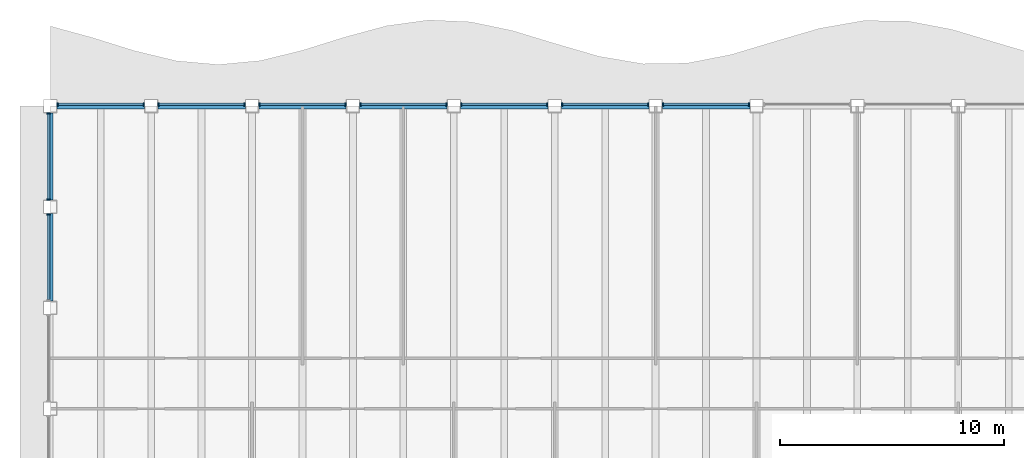
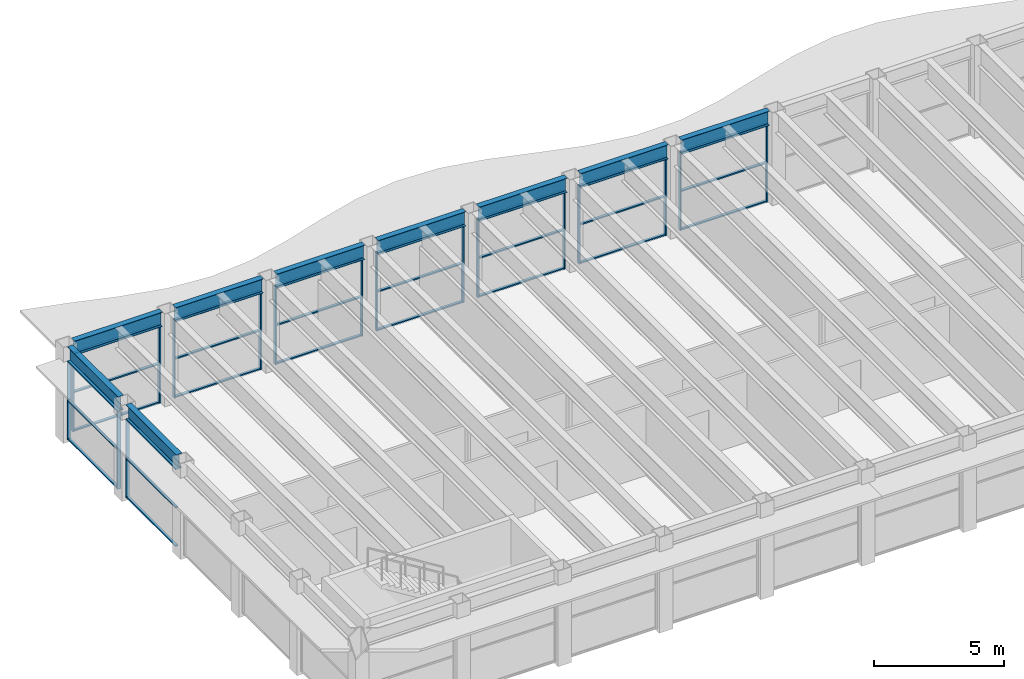
# One storey, part 4 of 14: 44 members, 9 beams, 9 elements without a shape of their own.
"""IFC4 building model written with IfcOpenShell, lengths in metres."""

from ifc_helpers import new_model, si_unit, direction, frame, origin, origin_2d, place, context, subcontext, project, spatial, rectangle, i_section, extrude, material, material_profile, profile_set, type_object, element, aggregate, save


model = new_model("IFC4")

# Units and contexts
model_context = context("Model", 3, precision=1e-05, world=origin(), true_north=direction((0.0, 1.0)))
body_context = subcontext(model_context, "Body", "Model", "MODEL_VIEW")
ifc_project = project(units=[si_unit("LENGTHUNIT", "METRE"), si_unit("AREAUNIT", "SQUARE_METRE"), si_unit("VOLUMEUNIT", "CUBIC_METRE"), si_unit("PLANEANGLEUNIT", "RADIAN"), si_unit("MASSUNIT", "GRAM", prefix="KILO")], contexts=[model_context])

# Site, building, storey
site_placement = place(None, origin())
site = spatial("IfcSite", under=ifc_project, at=site_placement, CompositionType="ELEMENT")
building_placement = place(site_placement, origin())
building = spatial("IfcBuilding", under=site, at=building_placement, Name="Sennacour Bend Tower", CompositionType="ELEMENT")
storey_placement = place(building_placement, frame((0.0, 0.0, 314.0)))
storey = spatial("IfcBuildingStorey", under=building, at=storey_placement, Name="L72", CompositionType="ELEMENT", Elevation=314.0)

# Curtain wall, members
ifc_material_1 = material(Name="Bronze anodised aluminium curtain wall with clear glass", Category="aluminium")
curtain_wall_type = type_object("IfcCurtainWallType", Name="CURTAIN WALL EXEC", PredefinedType="NOTDEFINED", material=ifc_material_1)
curtain_wall_1_placement = place(storey_placement, origin())
curtain_wall_1 = element("IfcCurtainWall", 1, at=curtain_wall_1_placement, inside=storey, type_object=curtain_wall_type, Name="Executive floor glass wall L72", PredefinedType="NOTDEFINED")
ifc_material_2 = material(Name="Aluminium 6063-T6", Category="aluminium")
ifc_material_profile_1 = material_profile(ifc_material_2, rectangle(XDim=0.14990234375, YDim=0.06005859375, at=origin_2d()), Name="Aluminium 6063-T6", Category="aluminium")
ifc_profile_set_1 = profile_set([ifc_material_profile_1], Name="Aluminium 6063-T6")
member_type_1 = type_object("IfcMemberType", Name="CW-MULLION-150X60", PredefinedType="MULLION", material=ifc_profile_set_1)
member_1_placement = place(storey_placement, frame((31.169921875, 22.574951171875, 0.0), z_axis=(0.0, 0.0, 1.0), x_axis=(0.0, -1.0, 0.0)))
member_1 = element("IfcMember", 2, at=member_1_placement, type_object=member_type_1, Name="GW3 curtain wall mullion 1", PredefinedType="MULLION", context=body_context, shape_type="SweptSolid", body=[
    extrude(rectangle(XDim=0.14990234375, YDim=0.06005859375, at=origin_2d()), origin(), (0.0, 0.0, 1.0), 3.672119140625),
])
member_2_placement = place(storey_placement, frame((27.330078125, 22.574951171875, 0.0), z_axis=(0.0, 0.0, 1.0), x_axis=(0.0, -1.0, 0.0)))
member_2 = element("IfcMember", 3, at=member_2_placement, type_object=member_type_1, Name="GW3 curtain wall mullion 2", PredefinedType="MULLION", context=body_context, shape_type="SweptSolid", body=[
    extrude(rectangle(XDim=0.14990234375, YDim=0.06005859375, at=origin_2d()), origin(), (0.0, 0.0, 1.0), 3.672119140625),
])

curtain_wall_2_placement = place(storey_placement, origin())
curtain_wall_2 = element("IfcCurtainWall", 4, at=curtain_wall_2_placement, inside=storey, type_object=curtain_wall_type, Name="Executive floor glass wall L72", PredefinedType="NOTDEFINED")
member_3_placement = place(storey_placement, frame((26.669921875, 22.574951171875, 0.0), z_axis=(0.0, 0.0, 1.0), x_axis=(0.0, -1.0, 0.0)))
member_3 = element("IfcMember", 5, at=member_3_placement, type_object=member_type_1, Name="GW3 curtain wall mullion 1", PredefinedType="MULLION", context=body_context, shape_type="SweptSolid", body=[
    extrude(rectangle(XDim=0.14990234375, YDim=0.06005859375, at=origin_2d()), origin(), (0.0, 0.0, 1.0), 3.672119140625),
])
member_4_placement = place(storey_placement, frame((22.830078125, 22.574951171875, 0.0), z_axis=(0.0, 0.0, 1.0), x_axis=(0.0, -1.0, 0.0)))
member_4 = element("IfcMember", 6, at=member_4_placement, type_object=member_type_1, Name="GW3 curtain wall mullion 2", PredefinedType="MULLION", context=body_context, shape_type="SweptSolid", body=[
    extrude(rectangle(XDim=0.14990234375, YDim=0.06005859375, at=origin_2d()), origin(), (0.0, 0.0, 1.0), 3.672119140625),
])

curtain_wall_3_placement = place(storey_placement, origin())
curtain_wall_3 = element("IfcCurtainWall", 7, at=curtain_wall_3_placement, inside=storey, type_object=curtain_wall_type, Name="Executive floor glass wall L72", PredefinedType="NOTDEFINED")
member_5_placement = place(storey_placement, frame((22.169921875, 22.574951171875, 0.0), z_axis=(0.0, 0.0, 1.0), x_axis=(0.0, -1.0, 0.0)))
member_5 = element("IfcMember", 8, at=member_5_placement, type_object=member_type_1, Name="GW3 curtain wall mullion 1", PredefinedType="MULLION", context=body_context, shape_type="SweptSolid", body=[
    extrude(rectangle(XDim=0.14990234375, YDim=0.06005859375, at=origin_2d()), origin(), (0.0, 0.0, 1.0), 3.672119140625),
])
member_6_placement = place(storey_placement, frame((18.330078125, 22.574951171875, 0.0), z_axis=(0.0, 0.0, 1.0), x_axis=(0.0, -1.0, 0.0)))
member_6 = element("IfcMember", 9, at=member_6_placement, type_object=member_type_1, Name="GW3 curtain wall mullion 2", PredefinedType="MULLION", context=body_context, shape_type="SweptSolid", body=[
    extrude(rectangle(XDim=0.14990234375, YDim=0.06005859375, at=origin_2d()), origin(), (0.0, 0.0, 1.0), 3.672119140625),
])

curtain_wall_4_placement = place(storey_placement, origin())
curtain_wall_4 = element("IfcCurtainWall", 10, at=curtain_wall_4_placement, inside=storey, type_object=curtain_wall_type, Name="Executive floor glass wall L72", PredefinedType="NOTDEFINED")
member_7_placement = place(storey_placement, frame((17.669921875, 22.574951171875, 0.0), z_axis=(0.0, 0.0, 1.0), x_axis=(0.0, -1.0, 0.0)))
member_7 = element("IfcMember", 11, at=member_7_placement, type_object=member_type_1, Name="GW3 curtain wall mullion 1", PredefinedType="MULLION", context=body_context, shape_type="SweptSolid", body=[
    extrude(rectangle(XDim=0.14990234375, YDim=0.06005859375, at=origin_2d()), origin(), (0.0, 0.0, 1.0), 3.672119140625),
])
member_8_placement = place(storey_placement, frame((13.830078125, 22.574951171875, 0.0), z_axis=(0.0, 0.0, 1.0), x_axis=(0.0, -1.0, 0.0)))
member_8 = element("IfcMember", 12, at=member_8_placement, type_object=member_type_1, Name="GW3 curtain wall mullion 2", PredefinedType="MULLION", context=body_context, shape_type="SweptSolid", body=[
    extrude(rectangle(XDim=0.14990234375, YDim=0.06005859375, at=origin_2d()), origin(), (0.0, 0.0, 1.0), 3.672119140625),
])

curtain_wall_5_placement = place(storey_placement, origin())
curtain_wall_5 = element("IfcCurtainWall", 13, at=curtain_wall_5_placement, inside=storey, type_object=curtain_wall_type, Name="Executive floor glass wall L72", PredefinedType="NOTDEFINED")
member_9_placement = place(storey_placement, frame((13.169921875, 22.574951171875, 0.0), z_axis=(0.0, 0.0, 1.0), x_axis=(0.0, -1.0, 0.0)))
member_9 = element("IfcMember", 14, at=member_9_placement, type_object=member_type_1, Name="GW3 curtain wall mullion 1", PredefinedType="MULLION", context=body_context, shape_type="SweptSolid", body=[
    extrude(rectangle(XDim=0.14990234375, YDim=0.06005859375, at=origin_2d()), origin(), (0.0, 0.0, 1.0), 3.672119140625),
])
member_10_placement = place(storey_placement, frame((9.330078125, 22.574951171875, 0.0), z_axis=(0.0, 0.0, 1.0), x_axis=(0.0, -1.0, 0.0)))
member_10 = element("IfcMember", 15, at=member_10_placement, type_object=member_type_1, Name="GW3 curtain wall mullion 2", PredefinedType="MULLION", context=body_context, shape_type="SweptSolid", body=[
    extrude(rectangle(XDim=0.14990234375, YDim=0.06005859375, at=origin_2d()), origin(), (0.0, 0.0, 1.0), 3.672119140625),
])

curtain_wall_6_placement = place(storey_placement, origin())
curtain_wall_6 = element("IfcCurtainWall", 16, at=curtain_wall_6_placement, inside=storey, type_object=curtain_wall_type, Name="Executive floor glass wall L72", PredefinedType="NOTDEFINED")
member_11_placement = place(storey_placement, frame((8.669921875, 22.574951171875, 0.0), z_axis=(0.0, 0.0, 1.0), x_axis=(0.0, -1.0, 0.0)))
member_11 = element("IfcMember", 17, at=member_11_placement, type_object=member_type_1, Name="GW3 curtain wall mullion 1", PredefinedType="MULLION", context=body_context, shape_type="SweptSolid", body=[
    extrude(rectangle(XDim=0.14990234375, YDim=0.06005859375, at=origin_2d()), origin(), (0.0, 0.0, 1.0), 3.672119140625),
])
member_12_placement = place(storey_placement, frame((4.830078125, 22.574951171875, 0.0), z_axis=(0.0, 0.0, 1.0), x_axis=(0.0, -1.0, 0.0)))
member_12 = element("IfcMember", 18, at=member_12_placement, type_object=member_type_1, Name="GW3 curtain wall mullion 2", PredefinedType="MULLION", context=body_context, shape_type="SweptSolid", body=[
    extrude(rectangle(XDim=0.14990234375, YDim=0.06005859375, at=origin_2d()), origin(), (0.0, 0.0, 1.0), 3.672119140625),
])

curtain_wall_7_placement = place(storey_placement, origin())
curtain_wall_7 = element("IfcCurtainWall", 19, at=curtain_wall_7_placement, inside=storey, type_object=curtain_wall_type, Name="Executive floor glass wall L72", PredefinedType="NOTDEFINED")
member_13_placement = place(storey_placement, frame((4.169921875, 22.574951171875, 0.0), z_axis=(0.0, 0.0, 1.0), x_axis=(0.0, -1.0, 0.0)))
member_13 = element("IfcMember", 20, at=member_13_placement, type_object=member_type_1, Name="GW3 curtain wall mullion 1", PredefinedType="MULLION", context=body_context, shape_type="SweptSolid", body=[
    extrude(rectangle(XDim=0.14990234375, YDim=0.06005859375, at=origin_2d()), origin(), (0.0, 0.0, 1.0), 3.672119140625),
])
member_14_placement = place(storey_placement, frame((0.330078125, 22.574951171875, 0.0), z_axis=(0.0, 0.0, 1.0), x_axis=(0.0, -1.0, 0.0)))
member_14 = element("IfcMember", 21, at=member_14_placement, type_object=member_type_1, Name="GW3 curtain wall mullion 2", PredefinedType="MULLION", context=body_context, shape_type="SweptSolid", body=[
    extrude(rectangle(XDim=0.14990234375, YDim=0.06005859375, at=origin_2d()), origin(), (0.0, 0.0, 1.0), 3.672119140625),
])

curtain_wall_8_placement = place(storey_placement, origin())
curtain_wall_8 = element("IfcCurtainWall", 22, at=curtain_wall_8_placement, inside=storey, type_object=curtain_wall_type, Name="Executive floor glass wall L72", PredefinedType="NOTDEFINED")
member_15_placement = place(storey_placement, frame((-0.074951171875, 22.169921875, 0.0), z_axis=(0.0, 0.0, 1.0), x_axis=(1.0, 0.0, 0.0)))
member_15 = element("IfcMember", 23, at=member_15_placement, type_object=member_type_1, Name="GW3 curtain wall mullion 1", PredefinedType="MULLION", context=body_context, shape_type="SweptSolid", body=[
    extrude(rectangle(XDim=0.14990234375, YDim=0.06005859375, at=origin_2d()), origin(), (0.0, 0.0, 1.0), 3.672119140625),
])
member_16_placement = place(storey_placement, frame((-0.074951171875, 18.330078125, 0.0), z_axis=(0.0, 0.0, 1.0), x_axis=(1.0, 0.0, 0.0)))
member_16 = element("IfcMember", 24, at=member_16_placement, type_object=member_type_1, Name="GW3 curtain wall mullion 2", PredefinedType="MULLION", context=body_context, shape_type="SweptSolid", body=[
    extrude(rectangle(XDim=0.14990234375, YDim=0.06005859375, at=origin_2d()), origin(), (0.0, 0.0, 1.0), 3.672119140625),
])

# Curtain wall, member
curtain_wall_9_placement = place(storey_placement, origin())
curtain_wall_9 = element("IfcCurtainWall", 25, at=curtain_wall_9_placement, inside=storey, type_object=curtain_wall_type, Name="Executive floor glass wall L72", PredefinedType="NOTDEFINED")
member_17_placement = place(storey_placement, frame((-0.074951171875, 17.669921875, 0.0), z_axis=(0.0, 0.0, 1.0), x_axis=(1.0, 0.0, 0.0)))
member_17 = element("IfcMember", 26, at=member_17_placement, type_object=member_type_1, Name="GW3 curtain wall mullion 1", PredefinedType="MULLION", context=body_context, shape_type="SweptSolid", body=[
    extrude(rectangle(XDim=0.14990234375, YDim=0.06005859375, at=origin_2d()), origin(), (0.0, 0.0, 1.0), 3.672119140625),
])

# Member
ifc_material_profile_2 = material_profile(ifc_material_2, rectangle(XDim=0.1201171875, YDim=0.06005859375, at=origin_2d()), Name="Aluminium 6063-T6", Category="aluminium")
ifc_profile_set_2 = profile_set([ifc_material_profile_2], Name="Aluminium 6063-T6")
member_type_2 = type_object("IfcMemberType", Name="CW-TRANSOM-120X60", PredefinedType="USERDEFINED", material=ifc_profile_set_2)
member_18_placement = place(storey_placement, frame((31.139892578125, 22.574951171875, 0.030029296875), z_axis=(-1.0, 0.0, 0.0), x_axis=(0.0, -1.0, 0.0)))
member_18 = element("IfcMember", 27, at=member_18_placement, type_object=member_type_2, Name="GW3 curtain wall transom 1.1", ObjectType="TRANSOM", PredefinedType="USERDEFINED", context=body_context, shape_type="SweptSolid", body=[
    extrude(rectangle(XDim=0.1201171875, YDim=0.06005859375, at=origin_2d()), origin(), (0.0, 0.0, 1.0), 3.77978515625),
])

member_19_placement = place(storey_placement, frame((31.139892578125, 22.574951171875, 1.8359375), z_axis=(-1.0, 0.0, 0.0), x_axis=(0.0, -1.0, 0.0)))
member_19 = element("IfcMember", 28, at=member_19_placement, type_object=member_type_2, Name="GW3 curtain wall transom 1.2", ObjectType="TRANSOM", PredefinedType="USERDEFINED", context=body_context, shape_type="SweptSolid", body=[
    extrude(rectangle(XDim=0.1201171875, YDim=0.06005859375, at=origin_2d()), origin(), (0.0, 0.0, 1.0), 3.77978515625),
])

member_20_placement = place(storey_placement, frame((31.139892578125, 22.574951171875, 3.64208984375), z_axis=(-1.0, 0.0, 0.0), x_axis=(0.0, -1.0, 0.0)))
member_20 = element("IfcMember", 29, at=member_20_placement, type_object=member_type_2, Name="GW3 curtain wall transom 1.3", ObjectType="TRANSOM", PredefinedType="USERDEFINED", context=body_context, shape_type="SweptSolid", body=[
    extrude(rectangle(XDim=0.1201171875, YDim=0.06005859375, at=origin_2d()), origin(), (0.0, 0.0, 1.0), 3.77978515625),
])

aggregate(curtain_wall_1, [member_1, member_2, member_18, member_19, member_20])

member_21_placement = place(storey_placement, frame((26.639892578125, 22.574951171875, 0.030029296875), z_axis=(-1.0, 0.0, 0.0), x_axis=(0.0, -1.0, 0.0)))
member_21 = element("IfcMember", 30, at=member_21_placement, type_object=member_type_2, Name="GW3 curtain wall transom 1.1", ObjectType="TRANSOM", PredefinedType="USERDEFINED", context=body_context, shape_type="SweptSolid", body=[
    extrude(rectangle(XDim=0.1201171875, YDim=0.06005859375, at=origin_2d()), origin(), (0.0, 0.0, 1.0), 3.77978515625),
])

member_22_placement = place(storey_placement, frame((26.639892578125, 22.574951171875, 1.8359375), z_axis=(-1.0, 0.0, 0.0), x_axis=(0.0, -1.0, 0.0)))
member_22 = element("IfcMember", 31, at=member_22_placement, type_object=member_type_2, Name="GW3 curtain wall transom 1.2", ObjectType="TRANSOM", PredefinedType="USERDEFINED", context=body_context, shape_type="SweptSolid", body=[
    extrude(rectangle(XDim=0.1201171875, YDim=0.06005859375, at=origin_2d()), origin(), (0.0, 0.0, 1.0), 3.77978515625),
])

member_23_placement = place(storey_placement, frame((26.639892578125, 22.574951171875, 3.64208984375), z_axis=(-1.0, 0.0, 0.0), x_axis=(0.0, -1.0, 0.0)))
member_23 = element("IfcMember", 32, at=member_23_placement, type_object=member_type_2, Name="GW3 curtain wall transom 1.3", ObjectType="TRANSOM", PredefinedType="USERDEFINED", context=body_context, shape_type="SweptSolid", body=[
    extrude(rectangle(XDim=0.1201171875, YDim=0.06005859375, at=origin_2d()), origin(), (0.0, 0.0, 1.0), 3.77978515625),
])

aggregate(curtain_wall_2, [member_3, member_4, member_21, member_22, member_23])

member_24_placement = place(storey_placement, frame((22.139892578125, 22.574951171875, 0.030029296875), z_axis=(-1.0, 0.0, 0.0), x_axis=(0.0, -1.0, 0.0)))
member_24 = element("IfcMember", 33, at=member_24_placement, type_object=member_type_2, Name="GW3 curtain wall transom 1.1", ObjectType="TRANSOM", PredefinedType="USERDEFINED", context=body_context, shape_type="SweptSolid", body=[
    extrude(rectangle(XDim=0.1201171875, YDim=0.06005859375, at=origin_2d()), origin(), (0.0, 0.0, 1.0), 3.77978515625),
])

member_25_placement = place(storey_placement, frame((22.139892578125, 22.574951171875, 1.8359375), z_axis=(-1.0, 0.0, 0.0), x_axis=(0.0, -1.0, 0.0)))
member_25 = element("IfcMember", 34, at=member_25_placement, type_object=member_type_2, Name="GW3 curtain wall transom 1.2", ObjectType="TRANSOM", PredefinedType="USERDEFINED", context=body_context, shape_type="SweptSolid", body=[
    extrude(rectangle(XDim=0.1201171875, YDim=0.06005859375, at=origin_2d()), origin(), (0.0, 0.0, 1.0), 3.77978515625),
])

member_26_placement = place(storey_placement, frame((22.139892578125, 22.574951171875, 3.64208984375), z_axis=(-1.0, 0.0, 0.0), x_axis=(0.0, -1.0, 0.0)))
member_26 = element("IfcMember", 35, at=member_26_placement, type_object=member_type_2, Name="GW3 curtain wall transom 1.3", ObjectType="TRANSOM", PredefinedType="USERDEFINED", context=body_context, shape_type="SweptSolid", body=[
    extrude(rectangle(XDim=0.1201171875, YDim=0.06005859375, at=origin_2d()), origin(), (0.0, 0.0, 1.0), 3.77978515625),
])

aggregate(curtain_wall_3, [member_5, member_6, member_24, member_25, member_26])

member_27_placement = place(storey_placement, frame((17.639892578125, 22.574951171875, 0.030029296875), z_axis=(-1.0, 0.0, 0.0), x_axis=(0.0, -1.0, 0.0)))
member_27 = element("IfcMember", 36, at=member_27_placement, type_object=member_type_2, Name="GW3 curtain wall transom 1.1", ObjectType="TRANSOM", PredefinedType="USERDEFINED", context=body_context, shape_type="SweptSolid", body=[
    extrude(rectangle(XDim=0.1201171875, YDim=0.06005859375, at=origin_2d()), origin(), (0.0, 0.0, 1.0), 3.77978515625),
])

member_28_placement = place(storey_placement, frame((17.639892578125, 22.574951171875, 1.8359375), z_axis=(-1.0, 0.0, 0.0), x_axis=(0.0, -1.0, 0.0)))
member_28 = element("IfcMember", 37, at=member_28_placement, type_object=member_type_2, Name="GW3 curtain wall transom 1.2", ObjectType="TRANSOM", PredefinedType="USERDEFINED", context=body_context, shape_type="SweptSolid", body=[
    extrude(rectangle(XDim=0.1201171875, YDim=0.06005859375, at=origin_2d()), origin(), (0.0, 0.0, 1.0), 3.77978515625),
])

member_29_placement = place(storey_placement, frame((17.639892578125, 22.574951171875, 3.64208984375), z_axis=(-1.0, 0.0, 0.0), x_axis=(0.0, -1.0, 0.0)))
member_29 = element("IfcMember", 38, at=member_29_placement, type_object=member_type_2, Name="GW3 curtain wall transom 1.3", ObjectType="TRANSOM", PredefinedType="USERDEFINED", context=body_context, shape_type="SweptSolid", body=[
    extrude(rectangle(XDim=0.1201171875, YDim=0.06005859375, at=origin_2d()), origin(), (0.0, 0.0, 1.0), 3.77978515625),
])

aggregate(curtain_wall_4, [member_7, member_8, member_27, member_28, member_29])

member_30_placement = place(storey_placement, frame((13.139892578125, 22.574951171875, 0.030029296875), z_axis=(-1.0, 0.0, 0.0), x_axis=(0.0, -1.0, 0.0)))
member_30 = element("IfcMember", 39, at=member_30_placement, type_object=member_type_2, Name="GW3 curtain wall transom 1.1", ObjectType="TRANSOM", PredefinedType="USERDEFINED", context=body_context, shape_type="SweptSolid", body=[
    extrude(rectangle(XDim=0.1201171875, YDim=0.06005859375, at=origin_2d()), origin(), (0.0, 0.0, 1.0), 3.77978515625),
])

member_31_placement = place(storey_placement, frame((13.139892578125, 22.574951171875, 1.8359375), z_axis=(-1.0, 0.0, 0.0), x_axis=(0.0, -1.0, 0.0)))
member_31 = element("IfcMember", 40, at=member_31_placement, type_object=member_type_2, Name="GW3 curtain wall transom 1.2", ObjectType="TRANSOM", PredefinedType="USERDEFINED", context=body_context, shape_type="SweptSolid", body=[
    extrude(rectangle(XDim=0.1201171875, YDim=0.06005859375, at=origin_2d()), origin(), (0.0, 0.0, 1.0), 3.77978515625),
])

member_32_placement = place(storey_placement, frame((13.139892578125, 22.574951171875, 3.64208984375), z_axis=(-1.0, 0.0, 0.0), x_axis=(0.0, -1.0, 0.0)))
member_32 = element("IfcMember", 41, at=member_32_placement, type_object=member_type_2, Name="GW3 curtain wall transom 1.3", ObjectType="TRANSOM", PredefinedType="USERDEFINED", context=body_context, shape_type="SweptSolid", body=[
    extrude(rectangle(XDim=0.1201171875, YDim=0.06005859375, at=origin_2d()), origin(), (0.0, 0.0, 1.0), 3.77978515625),
])

aggregate(curtain_wall_5, [member_9, member_10, member_30, member_31, member_32])

member_33_placement = place(storey_placement, frame((8.639892578125, 22.574951171875, 0.030029296875), z_axis=(-1.0, 0.0, 0.0), x_axis=(0.0, -1.0, 0.0)))
member_33 = element("IfcMember", 42, at=member_33_placement, type_object=member_type_2, Name="GW3 curtain wall transom 1.1", ObjectType="TRANSOM", PredefinedType="USERDEFINED", context=body_context, shape_type="SweptSolid", body=[
    extrude(rectangle(XDim=0.1201171875, YDim=0.06005859375, at=origin_2d()), origin(), (0.0, 0.0, 1.0), 3.77978515625),
])

member_34_placement = place(storey_placement, frame((8.639892578125, 22.574951171875, 1.8359375), z_axis=(-1.0, 0.0, 0.0), x_axis=(0.0, -1.0, 0.0)))
member_34 = element("IfcMember", 43, at=member_34_placement, type_object=member_type_2, Name="GW3 curtain wall transom 1.2", ObjectType="TRANSOM", PredefinedType="USERDEFINED", context=body_context, shape_type="SweptSolid", body=[
    extrude(rectangle(XDim=0.1201171875, YDim=0.06005859375, at=origin_2d()), origin(), (0.0, 0.0, 1.0), 3.77978515625),
])

member_35_placement = place(storey_placement, frame((8.639892578125, 22.574951171875, 3.64208984375), z_axis=(-1.0, 0.0, 0.0), x_axis=(0.0, -1.0, 0.0)))
member_35 = element("IfcMember", 44, at=member_35_placement, type_object=member_type_2, Name="GW3 curtain wall transom 1.3", ObjectType="TRANSOM", PredefinedType="USERDEFINED", context=body_context, shape_type="SweptSolid", body=[
    extrude(rectangle(XDim=0.1201171875, YDim=0.06005859375, at=origin_2d()), origin(), (0.0, 0.0, 1.0), 3.77978515625),
])

aggregate(curtain_wall_6, [member_11, member_12, member_33, member_34, member_35])

member_36_placement = place(storey_placement, frame((4.139892578125, 22.574951171875, 0.030029296875), z_axis=(-1.0, 0.0, 0.0), x_axis=(0.0, -1.0, 0.0)))
member_36 = element("IfcMember", 45, at=member_36_placement, type_object=member_type_2, Name="GW3 curtain wall transom 1.1", ObjectType="TRANSOM", PredefinedType="USERDEFINED", context=body_context, shape_type="SweptSolid", body=[
    extrude(rectangle(XDim=0.1201171875, YDim=0.06005859375, at=origin_2d()), origin(), (0.0, 0.0, 1.0), 3.77978515625),
])

member_37_placement = place(storey_placement, frame((4.139892578125, 22.574951171875, 1.8359375), z_axis=(-1.0, 0.0, 0.0), x_axis=(0.0, -1.0, 0.0)))
member_37 = element("IfcMember", 46, at=member_37_placement, type_object=member_type_2, Name="GW3 curtain wall transom 1.2", ObjectType="TRANSOM", PredefinedType="USERDEFINED", context=body_context, shape_type="SweptSolid", body=[
    extrude(rectangle(XDim=0.1201171875, YDim=0.06005859375, at=origin_2d()), origin(), (0.0, 0.0, 1.0), 3.77978515625),
])

member_38_placement = place(storey_placement, frame((4.139892578125, 22.574951171875, 3.64208984375), z_axis=(-1.0, 0.0, 0.0), x_axis=(0.0, -1.0, 0.0)))
member_38 = element("IfcMember", 47, at=member_38_placement, type_object=member_type_2, Name="GW3 curtain wall transom 1.3", ObjectType="TRANSOM", PredefinedType="USERDEFINED", context=body_context, shape_type="SweptSolid", body=[
    extrude(rectangle(XDim=0.1201171875, YDim=0.06005859375, at=origin_2d()), origin(), (0.0, 0.0, 1.0), 3.77978515625),
])

aggregate(curtain_wall_7, [member_13, member_14, member_36, member_37, member_38])

member_39_placement = place(storey_placement, frame((-0.074951171875, 22.139892578125, 0.030029296875), z_axis=(0.0, -1.0, 0.0), x_axis=(1.0, 0.0, 0.0)))
member_39 = element("IfcMember", 48, at=member_39_placement, type_object=member_type_2, Name="GW3 curtain wall transom 1.1", ObjectType="TRANSOM", PredefinedType="USERDEFINED", context=body_context, shape_type="SweptSolid", body=[
    extrude(rectangle(XDim=0.1201171875, YDim=0.06005859375, at=origin_2d()), origin(), (0.0, 0.0, 1.0), 3.77978515625),
])

member_40_placement = place(storey_placement, frame((-0.074951171875, 22.139892578125, 1.8359375), z_axis=(0.0, -1.0, 0.0), x_axis=(1.0, 0.0, 0.0)))
member_40 = element("IfcMember", 49, at=member_40_placement, type_object=member_type_2, Name="GW3 curtain wall transom 1.2", ObjectType="TRANSOM", PredefinedType="USERDEFINED", context=body_context, shape_type="SweptSolid", body=[
    extrude(rectangle(XDim=0.1201171875, YDim=0.06005859375, at=origin_2d()), origin(), (0.0, 0.0, 1.0), 3.77978515625),
])

member_41_placement = place(storey_placement, frame((-0.074951171875, 22.139892578125, 3.64208984375), z_axis=(0.0, -1.0, 0.0), x_axis=(1.0, 0.0, 0.0)))
member_41 = element("IfcMember", 50, at=member_41_placement, type_object=member_type_2, Name="GW3 curtain wall transom 1.3", ObjectType="TRANSOM", PredefinedType="USERDEFINED", context=body_context, shape_type="SweptSolid", body=[
    extrude(rectangle(XDim=0.1201171875, YDim=0.06005859375, at=origin_2d()), origin(), (0.0, 0.0, 1.0), 3.77978515625),
])

aggregate(curtain_wall_8, [member_15, member_16, member_39, member_40, member_41])

member_42_placement = place(storey_placement, frame((-0.074951171875, 17.639892578125, 0.030029296875), z_axis=(0.0, -1.0, 0.0), x_axis=(1.0, 0.0, 0.0)))
member_42 = element("IfcMember", 51, at=member_42_placement, type_object=member_type_2, Name="GW3 curtain wall transom 1.1", ObjectType="TRANSOM", PredefinedType="USERDEFINED", context=body_context, shape_type="SweptSolid", body=[
    extrude(rectangle(XDim=0.1201171875, YDim=0.06005859375, at=origin_2d()), origin(), (0.0, 0.0, 1.0), 3.77978515625),
])

member_43_placement = place(storey_placement, frame((-0.074951171875, 17.639892578125, 1.8359375), z_axis=(0.0, -1.0, 0.0), x_axis=(1.0, 0.0, 0.0)))
member_43 = element("IfcMember", 52, at=member_43_placement, type_object=member_type_2, Name="GW3 curtain wall transom 1.2", ObjectType="TRANSOM", PredefinedType="USERDEFINED", context=body_context, shape_type="SweptSolid", body=[
    extrude(rectangle(XDim=0.1201171875, YDim=0.06005859375, at=origin_2d()), origin(), (0.0, 0.0, 1.0), 3.77978515625),
])

member_44_placement = place(storey_placement, frame((-0.074951171875, 17.639892578125, 3.64208984375), z_axis=(0.0, -1.0, 0.0), x_axis=(1.0, 0.0, 0.0)))
member_44 = element("IfcMember", 53, at=member_44_placement, type_object=member_type_2, Name="GW3 curtain wall transom 1.3", ObjectType="TRANSOM", PredefinedType="USERDEFINED", context=body_context, shape_type="SweptSolid", body=[
    extrude(rectangle(XDim=0.1201171875, YDim=0.06005859375, at=origin_2d()), origin(), (0.0, 0.0, 1.0), 3.77978515625),
])

aggregate(curtain_wall_9, [member_17, member_42, member_43, member_44])

# Beams
ifc_material_3 = material(Name="Steel ASTM A992 Grade 50", Category="steel")
ifc_material_profile_3 = material_profile(ifc_material_3, i_section(OverallWidth=0.25390625, OverallDepth=0.677978515625, WebThickness=0.01171875, FlangeThickness=0.016357421875, FilletRadius=0.01513671875, at=origin_2d()), Name="Steel ASTM A992 Grade 50", Category="steel")
ifc_profile_set_3 = profile_set([ifc_material_profile_3], Name="Steel ASTM A992 Grade 50")
beam_type = type_object("IfcBeamType", Name="Spandrel beam W690X125", PredefinedType="SPANDREL", material=ifc_profile_set_3)
for number, where, z_axis, x_axis, name in (
    (54, (0.0, 13.800048828125, 4.010986328125), (0.0, 1.0, 0.0), (-1.0, 0.0, 0.0), "Spandrel beam SP7 L73-004"),
    (55, (0.0, 18.300048828125, 4.010986328125), (0.0, 1.0, 0.0), (-1.0, 0.0, 0.0), "Spandrel beam SP7 L73-005"),
    (56, (0.300048828125, 22.5, 4.010986328125), (1.0, 0.0, 0.0), (0.0, 1.0, 0.0), "Spandrel beam SP7 L73-006"),
    (57, (4.800048828125, 22.5, 4.010986328125), (1.0, 0.0, 0.0), (0.0, 1.0, 0.0), "Spandrel beam SP7 L73-007"),
    (58, (9.300048828125, 22.5, 4.010986328125), (1.0, 0.0, 0.0), (0.0, 1.0, 0.0), "Spandrel beam SP7 L73-008"),
    (59, (13.800048828125, 22.5, 4.010986328125), (1.0, 0.0, 0.0), (0.0, 1.0, 0.0), "Spandrel beam SP7 L73-009"),
    (60, (18.300048828125, 22.5, 4.010986328125), (1.0, 0.0, 0.0), (0.0, 1.0, 0.0), "Spandrel beam SP7 L73-010"),
    (61, (22.800048828125, 22.5, 4.010986328125), (1.0, 0.0, 0.0), (0.0, 1.0, 0.0), "Spandrel beam SP7 L73-011"),
    (62, (27.300048828125, 22.5, 4.010986328125), (1.0, 0.0, 0.0), (0.0, 1.0, 0.0), "Spandrel beam SP7 L73-012"),
):
    element("IfcBeam", number, at=place(storey_placement, frame(where, z_axis=z_axis, x_axis=x_axis)), inside=storey, type_object=beam_type, Name=name, PredefinedType="SPANDREL", context=body_context, shape_type="SweptSolid", body=[
        extrude(i_section(OverallWidth=0.25390625, OverallDepth=0.677978515625, WebThickness=0.01171875, FlangeThickness=0.016357421875, FilletRadius=0.01513671875, at=origin_2d()), origin(), (0.0, 0.0, 1.0), 3.89990234375),
    ])

save(model, "model.ifc")
